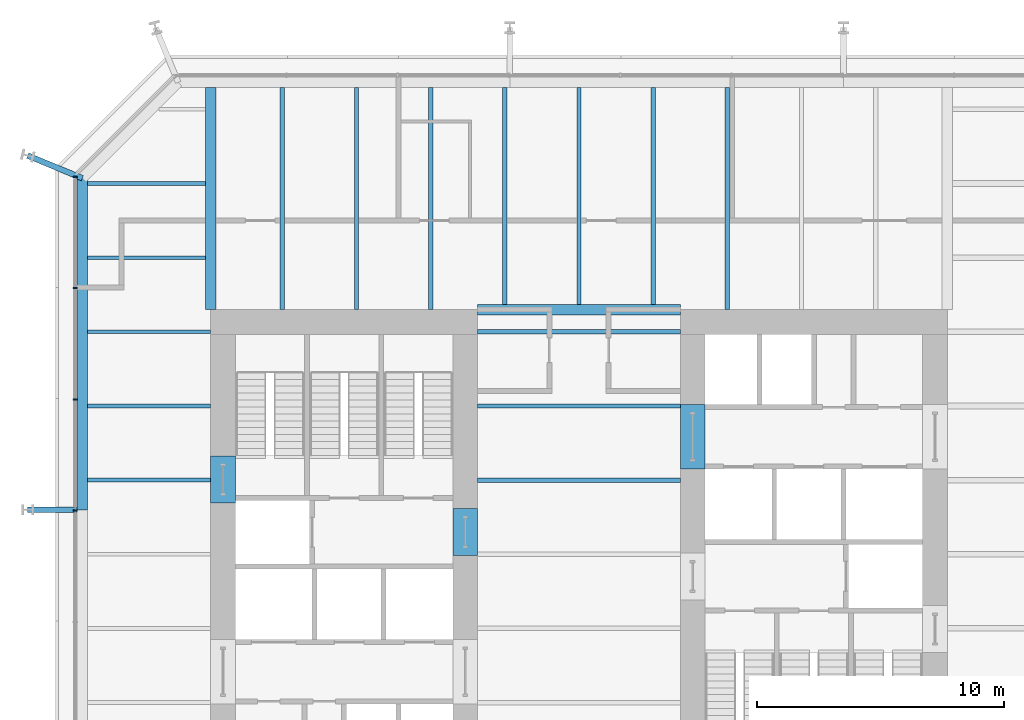
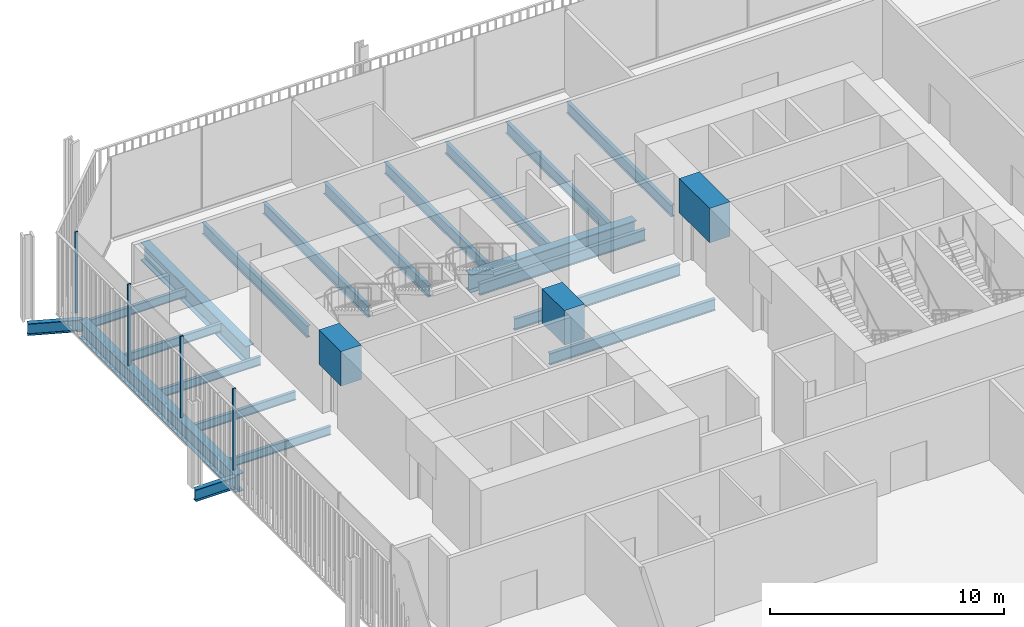
# One storey, part 11 of 20: 23 beams, 4 members, 1 element without a shape of its own.
"""IFC4 building model written with IfcOpenShell, lengths in metres."""

from ifc_helpers import new_model, si_unit, direction, frame, origin, origin_2d, place, context, subcontext, project, spatial, rectangle, i_section, extrude, material, layer, layer_set, material_profile, profile_set, type_object, element, aggregate, save


model = new_model("IFC4")

# Units and contexts
model_context = context("Model", 3, precision=1e-05, world=origin(), true_north=direction((0.0, 1.0)))
body_context = subcontext(model_context, "Body", "Model", "MODEL_VIEW")
ifc_project = project(units=[si_unit("LENGTHUNIT", "METRE"), si_unit("AREAUNIT", "SQUARE_METRE"), si_unit("VOLUMEUNIT", "CUBIC_METRE"), si_unit("PLANEANGLEUNIT", "RADIAN"), si_unit("MASSUNIT", "GRAM", prefix="KILO")], contexts=[model_context])

# Site, building, storey
site_placement = place(None, origin())
site = spatial("IfcSite", under=ifc_project, at=site_placement, CompositionType="ELEMENT")
building_placement = place(site_placement, origin())
building = spatial("IfcBuilding", under=site, at=building_placement, Name="Millrace Tower", CompositionType="ELEMENT")
storey_placement = place(building_placement, frame((0.0, 0.0, 86.39990234375)))
storey = spatial("IfcBuildingStorey", under=building, at=storey_placement, Name="L19", CompositionType="ELEMENT", Elevation=86.39990234375)

# Curtain wall, members
ifc_material_1 = material(Name="Aluminium and glass", Category="aluminium")
ifc_layer = layer(ifc_material_1, 0.14990234375)
ifc_layer_set = layer_set([ifc_layer], Name="Aluminium and glass")
curtain_wall_type = type_object("IfcCurtainWallType", Name="CW-3 telecom floor curtain wall", PredefinedType="NOTDEFINED", material=ifc_layer_set)
curtain_wall_placement = place(storey_placement, origin())
curtain_wall = element("IfcCurtainWall", 1, at=curtain_wall_placement, inside=storey, type_object=curtain_wall_type, Name="Curtain wall B-F08 L19", PredefinedType="NOTDEFINED")
ifc_material_2 = material(Name="Aluminium", Category="aluminium")
ifc_material_profile_1 = material_profile(ifc_material_2, rectangle(XDim=0.06494140625, YDim=0.14990234375, at=origin_2d()))
ifc_profile_set_1 = profile_set([ifc_material_profile_1], Name="Aluminium")
member_type = type_object("IfcMemberType", Name="CW-3 telecom floor curtain wall mullion", PredefinedType="MULLION", material=ifc_profile_set_1)
member_1_placement = place(storey_placement, frame((-20.375, 15.267578125, 0.150146484375), z_axis=(0.0, 0.0, 1.0), x_axis=(0.0, -1.0, 0.0)))
member_1 = element("IfcMember", 2, at=member_1_placement, type_object=member_type, Name="CW3 mullion B-F08.1", PredefinedType="MULLION", context=body_context, shape_type="SweptSolid", body=[
    extrude(rectangle(XDim=0.06494140625, YDim=0.14990234375, at=origin_2d()), origin(), (0.0, 0.0, 1.0), 4.25),
])
member_2_placement = place(storey_placement, frame((-20.375, 10.767578125, 0.150146484375), z_axis=(0.0, 0.0, 1.0), x_axis=(0.0, -1.0, 0.0)))
member_2 = element("IfcMember", 3, at=member_2_placement, type_object=member_type, Name="CW3 mullion B-F08.2", PredefinedType="MULLION", context=body_context, shape_type="SweptSolid", body=[
    extrude(rectangle(XDim=0.06494140625, YDim=0.14990234375, at=origin_2d()), origin(), (0.0, 0.0, 1.0), 4.25),
])
member_3_placement = place(storey_placement, frame((-20.375, 6.267578125, 0.150146484375), z_axis=(0.0, 0.0, 1.0), x_axis=(0.0, -1.0, 0.0)))
member_3 = element("IfcMember", 4, at=member_3_placement, type_object=member_type, Name="CW3 mullion B-F08.3", PredefinedType="MULLION", context=body_context, shape_type="SweptSolid", body=[
    extrude(rectangle(XDim=0.06494140625, YDim=0.14990234375, at=origin_2d()), origin(), (0.0, 0.0, 1.0), 4.25),
])
member_4_placement = place(storey_placement, frame((-20.375, 1.767578125, 0.150146484375), z_axis=(0.0, 0.0, 1.0), x_axis=(0.0, -1.0, 0.0)))
member_4 = element("IfcMember", 5, at=member_4_placement, type_object=member_type, Name="CW3 mullion B-F08.4", PredefinedType="MULLION", context=body_context, shape_type="SweptSolid", body=[
    extrude(rectangle(XDim=0.06494140625, YDim=0.14990234375, at=origin_2d()), origin(), (0.0, 0.0, 1.0), 4.25),
])
aggregate(curtain_wall, [member_1, member_2, member_3, member_4])

# Beams
ifc_material_3 = material(Name="Concrete C80", Category="concrete")
ifc_material_profile_2 = material_profile(ifc_material_3, rectangle(XDim=1.0, YDim=1.800048828125, at=origin_2d()))
ifc_profile_set_2 = profile_set([ifc_material_profile_2], Name="Concrete C80")
beam_type_1 = type_object("IfcBeamType", Name="Coupling beam 1000 x 1800 Concrete C80, 1300 opening", PredefinedType="BEAM", material=ifc_profile_set_2)
beam_1_placement = place(storey_placement, frame((-14.39990234375, 2.080078125, 3.300048828125), z_axis=(0.0, 1.0, 0.0), x_axis=(-1.0, 0.0, 0.0)))
element("IfcBeam", 6, at=beam_1_placement, inside=storey, type_object=beam_type_1, Name="Coupling beam W L19", PredefinedType="BEAM", context=body_context, shape_type="SweptSolid", body=[
    extrude(rectangle(XDim=1.0, YDim=1.800048828125, at=origin_2d()), origin(), (0.0, 0.0, 1.0), 1.89990234375),
])
beam_2_placement = place(storey_placement, frame((-4.60009765625, -0.050048828125, 3.300048828125), z_axis=(0.0, 1.0, 0.0), x_axis=(-1.0, 0.0, 0.0)))
element("IfcBeam", 7, at=beam_2_placement, inside=storey, type_object=beam_type_1, Name="Coupling beam W L19", PredefinedType="BEAM", context=body_context, shape_type="SweptSolid", body=[
    extrude(rectangle(XDim=1.0, YDim=1.800048828125, at=origin_2d()), origin(), (0.0, 0.0, 1.0), 1.900146484375),
])
ifc_material_4 = material(Name="Concrete C80", Category="concrete")
ifc_material_profile_3 = material_profile(ifc_material_4, rectangle(XDim=1.0, YDim=1.800048828125, at=origin_2d()))
ifc_profile_set_3 = profile_set([ifc_material_profile_3], Name="Concrete C80")
beam_type_2 = type_object("IfcBeamType", Name="Coupling beam 1000 x 1800 Concrete C80, 2000 opening", PredefinedType="BEAM", material=ifc_profile_set_3)
beam_3_placement = place(storey_placement, frame((4.60009765625, 6.050048828125, 3.300048828125), z_axis=(0.0, -1.0, 0.0), x_axis=(1.0, 0.0, 0.0)))
element("IfcBeam", 8, at=beam_3_placement, inside=storey, type_object=beam_type_2, Name="Coupling beam E L19", PredefinedType="BEAM", context=body_context, shape_type="SweptSolid", body=[
    extrude(rectangle(XDim=1.0, YDim=1.800048828125, at=origin_2d()), origin(), (0.0, 0.0, 1.0), 2.60009765625),
])
ifc_material_5 = material(Name="Steel ASTM A992 Grade 50", Category="steel")
ifc_material_profile_4 = material_profile(ifc_material_5, i_section(OverallWidth=0.15234375, OverallDepth=0.449462890625, WebThickness=0.007568359375, FlangeThickness=0.0107421875, FilletRadius=0.01025390625, at=origin_2d()))
ifc_profile_set_4 = profile_set([ifc_material_profile_4], Name="Steel ASTM A992 Grade 50")
beam_type_3 = type_object("IfcBeamType", Name="Floor beam W18x35", PredefinedType="JOIST", material=ifc_profile_set_4)
for number, where, z_axis, x_axis, name in (
    (9, (-19.880859375, 3.0, -0.4248046875), (1.0, 0.0, 0.0), (0.0, 1.0, 0.0), "BM-B-L19-S1-S026"),
    (10, (-19.880859375, 6.0, -0.4248046875), (1.0, 0.0, 0.0), (0.0, 1.0, 0.0), "BM-B-L19-S1-S029"),
    (11, (-19.880859375, 9.0, -0.4248046875), (1.0, 0.0, 0.0), (0.0, 1.0, 0.0), "BM-B-L19-S1-S032"),
):
    element("IfcBeam", number, at=place(storey_placement, frame(where, z_axis=z_axis, x_axis=x_axis)), inside=storey, type_object=beam_type_3, Name=name, PredefinedType="JOIST", context=body_context, shape_type="SweptSolid", body=[
        extrude(i_section(OverallWidth=0.15234375, OverallDepth=0.449462890625, WebThickness=0.007568359375, FlangeThickness=0.0107421875, FilletRadius=0.01025390625, at=origin_2d()), origin(), (0.0, 0.0, 1.0), 4.98095703125),
    ])
for number, where, z_axis, x_axis, name in (
    (12, (-19.880859375, 12.0, -0.4248046875), (1.0, 0.0, 0.0), (0.0, 1.0, 0.0), "BM-B-L19-S1-S034"),
    (13, (-19.880859375, 15.0, -0.4248046875), (1.0, 0.0, 0.0), (0.0, 1.0, 0.0), "BM-B-L19-S1-S036"),
):
    element("IfcBeam", number, at=place(storey_placement, frame(where, z_axis=z_axis, x_axis=x_axis)), inside=storey, type_object=beam_type_3, Name=name, PredefinedType="JOIST", context=body_context, shape_type="SweptSolid", body=[
        extrude(i_section(OverallWidth=0.15234375, OverallDepth=0.449462890625, WebThickness=0.007568359375, FlangeThickness=0.0107421875, FilletRadius=0.01025390625, at=origin_2d()), origin(), (0.0, 0.0, 1.0), 4.77001953125),
    ])
ifc_material_6 = material(Name="Steel ASTM A992 Grade 50", Category="steel")
ifc_material_profile_5 = material_profile(ifc_material_6, i_section(OverallWidth=0.177978515625, OverallDepth=0.599365234375, WebThickness=0.010009765625, FlangeThickness=0.012939453125, FilletRadius=0.012939453125, at=origin_2d()))
ifc_profile_set_5 = profile_set([ifc_material_profile_5], Name="Steel ASTM A992 Grade 50")
beam_type_4 = type_object("IfcBeamType", Name="Floor beam W24x55", PredefinedType="JOIST", material=ifc_profile_set_5)
for number, where, z_axis, x_axis, name in (
    (14, (-4.10009765625, 3.0, -0.49951171875), (1.0, 0.0, 0.0), (0.0, 1.0, 0.0), "BM-B-L19-S1-S025"),
    (15, (-4.10009765625, 6.0, -0.49951171875), (1.0, 0.0, 0.0), (0.0, 1.0, 0.0), "BM-B-L19-S1-S028"),
    (16, (-4.10009765625, 9.0, -0.49951171875), (1.0, 0.0, 0.0), (0.0, 1.0, 0.0), "BM-B-L19-S1-S031"),
):
    element("IfcBeam", number, at=place(storey_placement, frame(where, z_axis=z_axis, x_axis=x_axis)), inside=storey, type_object=beam_type_4, Name=name, PredefinedType="JOIST", context=body_context, shape_type="SweptSolid", body=[
        extrude(i_section(OverallWidth=0.177978515625, OverallDepth=0.599365234375, WebThickness=0.010009765625, FlangeThickness=0.012939453125, FilletRadius=0.012939453125, at=origin_2d()), origin(), (0.0, 0.0, 1.0), 8.2001953125),
    ])
for number, where, z_axis, x_axis, name in (
    (17, (-12.0, 9.89990234375, -0.49951171875), (0.0, 1.0, 0.0), (-1.0, 0.0, 0.0), "BM-B-L19-S1-S040"),
    (18, (-9.0, 9.89990234375, -0.49951171875), (0.0, 1.0, 0.0), (-1.0, 0.0, 0.0), "BM-B-L19-S1-S042"),
    (19, (-6.0, 9.89990234375, -0.49951171875), (0.0, 1.0, 0.0), (-1.0, 0.0, 0.0), "BM-B-L19-S1-S044"),
):
    element("IfcBeam", number, at=place(storey_placement, frame(where, z_axis=z_axis, x_axis=x_axis)), inside=storey, type_object=beam_type_4, Name=name, PredefinedType="JOIST", context=body_context, shape_type="SweptSolid", body=[
        extrude(i_section(OverallWidth=0.177978515625, OverallDepth=0.599365234375, WebThickness=0.010009765625, FlangeThickness=0.012939453125, FilletRadius=0.012939453125, at=origin_2d()), origin(), (0.0, 0.0, 1.0), 8.98095703125),
    ])
for number, where, z_axis, x_axis, name in (
    (20, (-3.0, 10.11083984375, -0.49951171875), (0.0, 1.0, 0.0), (-1.0, 0.0, 0.0), "BM-B-L19-S1-S046"),
    (21, (0.0, 10.11083984375, -0.49951171875), (0.0, 1.0, 0.0), (-1.0, 0.0, 0.0), "BM-B-L19-S1-S048"),
    (22, (3.0, 10.11083984375, -0.49951171875), (0.0, 1.0, 0.0), (-1.0, 0.0, 0.0), "BM-B-L19-S1-S050"),
):
    element("IfcBeam", number, at=place(storey_placement, frame(where, z_axis=z_axis, x_axis=x_axis)), inside=storey, type_object=beam_type_4, Name=name, PredefinedType="JOIST", context=body_context, shape_type="SweptSolid", body=[
        extrude(i_section(OverallWidth=0.177978515625, OverallDepth=0.599365234375, WebThickness=0.010009765625, FlangeThickness=0.012939453125, FilletRadius=0.012939453125, at=origin_2d()), origin(), (0.0, 0.0, 1.0), 8.77001953125),
    ])
beam_4_placement = place(storey_placement, frame((6.0, 9.89990234375, -0.49951171875), z_axis=(0.0, 1.0, 0.0), x_axis=(-1.0, 0.0, 0.0)))
element("IfcBeam", 23, at=beam_4_placement, inside=storey, type_object=beam_type_4, Name="BM-B-L19-S1-S052", PredefinedType="JOIST", context=body_context, shape_type="SweptSolid", body=[
    extrude(i_section(OverallWidth=0.177978515625, OverallDepth=0.599365234375, WebThickness=0.010009765625, FlangeThickness=0.012939453125, FilletRadius=0.012939453125, at=origin_2d()), origin(), (0.0, 0.0, 1.0), 8.98095703125),
])
ifc_material_7 = material(Name="Steel ASTM A992 Grade 50", Category="steel")
ifc_material_profile_6 = material_profile(ifc_material_7, i_section(OverallWidth=0.421630859375, OverallDepth=0.937255859375, WebThickness=0.021240234375, FlangeThickness=0.03662109375, FilletRadius=0.024169921875, at=origin_2d()))
ifc_profile_set_6 = profile_set([ifc_material_profile_6], Name="Steel ASTM A992 Grade 50")
beam_type_5 = type_object("IfcBeamType", Name="Girder short span W36x262", PredefinedType="BEAM", material=ifc_profile_set_6)
beam_5_placement = place(storey_placement, frame((-14.89990234375, 9.89990234375, -0.66845703125), z_axis=(0.0, 1.0, 0.0), x_axis=(-1.0, 0.0, 0.0)))
element("IfcBeam", 24, at=beam_5_placement, inside=storey, type_object=beam_type_5, Name="BM-B-L19-S1-G058", PredefinedType="BEAM", context=body_context, shape_type="SweptSolid", body=[
    extrude(i_section(OverallWidth=0.421630859375, OverallDepth=0.937255859375, WebThickness=0.021240234375, FlangeThickness=0.03662109375, FilletRadius=0.024169921875, at=origin_2d()), origin(), (0.0, 0.0, 1.0), 8.98095703125),
])
beam_6_placement = place(storey_placement, frame((-4.10009765625, 9.89990234375, -0.66845703125), z_axis=(1.0, 0.0, 0.0), x_axis=(0.0, 1.0, 0.0)))
element("IfcBeam", 25, at=beam_6_placement, inside=storey, type_object=beam_type_5, Name="BM-B-L19-S1-G062", PredefinedType="BEAM", context=body_context, shape_type="SweptSolid", body=[
    extrude(i_section(OverallWidth=0.421630859375, OverallDepth=0.937255859375, WebThickness=0.021240234375, FlangeThickness=0.03662109375, FilletRadius=0.024169921875, at=origin_2d()), origin(), (0.0, 0.0, 1.0), 8.2001953125),
])
ifc_material_8 = material(Name="Steel ASTM A992 Grade 50", Category="steel")
ifc_material_profile_7 = material_profile(ifc_material_8, i_section(OverallWidth=0.23046875, OverallDepth=0.6171875, WebThickness=0.01318359375, FlangeThickness=0.022216796875, FilletRadius=0.012939453125, at=origin_2d()))
ifc_profile_set_7 = profile_set([ifc_material_profile_7], Name="Steel ASTM A992 Grade 50")
beam_type_6 = type_object("IfcBeamType", Name="Link beam W24x94", PredefinedType="BEAM", material=ifc_profile_set_7)
beam_7_placement = place(storey_placement, frame((-20.300048828125, 1.800048828125, -0.508544921875), z_axis=(-1.0, 0.0, 0.0), x_axis=(0.0, -1.0, 0.0)))
element("IfcBeam", 26, at=beam_7_placement, inside=storey, type_object=beam_type_6, Name="LNK-B-L19-S1-03", PredefinedType="BEAM", context=body_context, shape_type="SweptSolid", body=[
    extrude(i_section(OverallWidth=0.23046875, OverallDepth=0.6171875, WebThickness=0.01318359375, FlangeThickness=0.022216796875, FilletRadius=0.012939453125, at=origin_2d()), origin(), (0.0, 0.0, 1.0), 2.0),
])
beam_8_placement = place(storey_placement, frame((-20.09033203125, 15.213134765625, -0.508544921875), z_axis=(-0.923881226989, 0.382679341507, 0.0), x_axis=(-0.382679341507, -0.923881226989, 0.0)))
element("IfcBeam", 27, at=beam_8_placement, inside=storey, type_object=beam_type_6, Name="LNK-B-L19-S1-04", PredefinedType="BEAM", context=body_context, shape_type="SweptSolid", body=[
    extrude(i_section(OverallWidth=0.23046875, OverallDepth=0.6171875, WebThickness=0.01318359375, FlangeThickness=0.022216796875, FilletRadius=0.012939453125, at=origin_2d()), origin(), (0.0, 0.0, 1.0), 2.391845703125),
])
ifc_material_9 = material(Name="Steel ASTM A992 Grade 50", Category="steel")
ifc_material_profile_8 = material_profile(ifc_material_9, i_section(OverallWidth=0.419189453125, OverallDepth=0.927001953125, WebThickness=0.019287109375, FlangeThickness=0.031982421875, FilletRadius=0.024169921875, at=origin_2d()))
ifc_profile_set_8 = profile_set([ifc_material_profile_8], Name="Steel ASTM A992 Grade 50")
beam_type_7 = type_object("IfcBeamType", Name="Ring beam medium span W36x231", PredefinedType="SPANDREL", material=ifc_profile_set_8)
beam_9_placement = place(storey_placement, frame((-20.09033203125, 1.800048828125, -0.66357421875), z_axis=(0.0, 1.0, 0.0), x_axis=(-1.0, 0.0, 0.0)))
element("IfcBeam", 28, at=beam_9_placement, inside=storey, type_object=beam_type_7, Name="RNG-B-L19-S1-03", PredefinedType="SPANDREL", context=body_context, shape_type="SweptSolid", body=[
    extrude(i_section(OverallWidth=0.419189453125, OverallDepth=0.927001953125, WebThickness=0.019287109375, FlangeThickness=0.031982421875, FilletRadius=0.024169921875, at=origin_2d()), origin(), (0.0, 0.0, 1.0), 13.4130859375),
])

save(model, "model.ifc")
